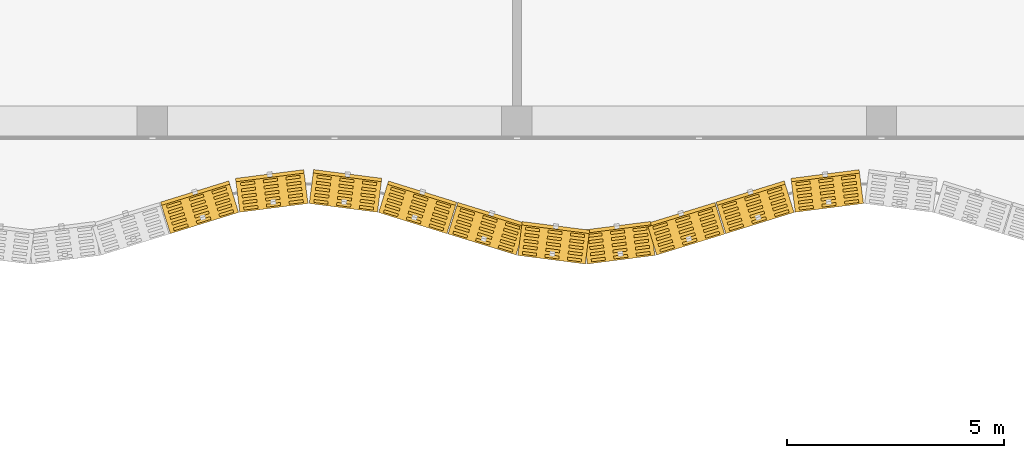
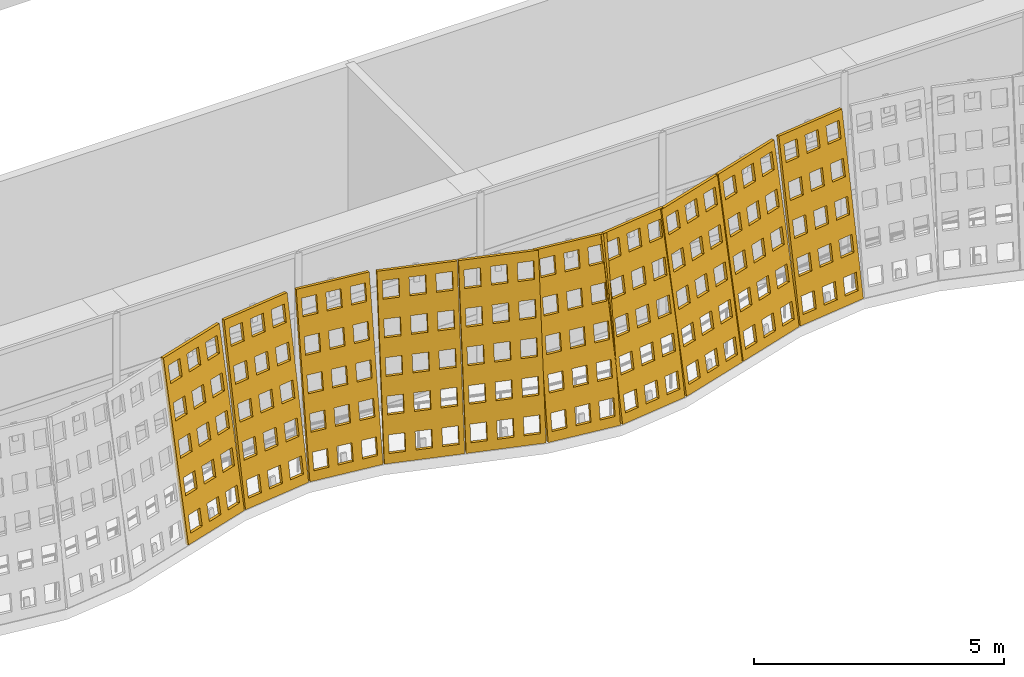
# One storey, part 151 of 162: 10 coverings.
"""IFC4 building model written with IfcOpenShell, lengths in metres."""

from ifc_helpers import new_model, si_unit, direction, frame, origin, place, context, subcontext, project, spatial, polyline, outline, extrude, material, layer, layer_set, type_object, element, save


model = new_model("IFC4")

# Units and contexts
model_context = context("Model", 3, precision=1e-05, world=origin(), true_north=direction((0.0, 1.0)))
body_context = subcontext(model_context, "Body", "Model", "MODEL_VIEW")
ifc_project = project(units=[si_unit("LENGTHUNIT", "METRE"), si_unit("AREAUNIT", "SQUARE_METRE"), si_unit("VOLUMEUNIT", "CUBIC_METRE"), si_unit("PLANEANGLEUNIT", "RADIAN"), si_unit("MASSUNIT", "GRAM", prefix="KILO")], contexts=[model_context])

# Site, building, storey
site_placement = place(None, origin())
site = spatial("IfcSite", under=ifc_project, at=site_placement, CompositionType="ELEMENT")
building_placement = place(site_placement, origin())
building = spatial("IfcBuilding", under=site, at=building_placement, Name="Rain Tree Exposition and Congress Centre", CompositionType="ELEMENT")
storey_placement = place(building_placement, frame((0.0, 0.0, 6.0)))
storey = spatial("IfcBuildingStorey", under=building, at=storey_placement, Name="L01", CompositionType="ELEMENT", Elevation=6.0)

# Coverings
ifc_material = material(Name="Perforated terracotta", Category="masonry")
ifc_layer = layer(ifc_material, 0.080078125)
ifc_layer_set = layer_set([ifc_layer], Name="Perforated terracotta")
covering_type = type_object("IfcCoveringType", Name="Terracotta screen 80", PredefinedType="CLADDING", material=ifc_layer_set)
covering_1_placement = place(storey_placement, frame((227.199462890625, 73.001708984375, 0.0126953125), z_axis=(-0.292932171154, 0.942875425902, -0.158671592708), x_axis=(-0.954973588716, -0.296690823679, 0.0)))
element("IfcCovering", 1, at=covering_1_placement, inside=storey, type_object=covering_type, Name="concourse/screen/L01/143", PredefinedType="CLADDING", context=body_context, shape_type="SweptSolid", body=[
    extrude(outline(polyline([(-1.659912109375, 0.0), (-1.659912109375, 4.29150390625), (-0.014892578125, 4.29150390625), (-0.014892578125, 0.0), (-1.659912109375, 0.0)]), holes=[polyline([(-0.119140625, 0.221435546875), (-0.119140625, 0.63671875), (-0.458984375, 0.63671875), (-0.458984375, 0.221435546875), (-0.119140625, 0.221435546875)]), polyline([(-0.119140625, 1.079833984375), (-0.119140625, 1.4951171875), (-0.458984375, 1.4951171875), (-0.458984375, 1.079833984375), (-0.119140625, 1.079833984375)]), polyline([(-0.119140625, 1.93798828125), (-0.119140625, 2.353271484375), (-0.458984375, 2.353271484375), (-0.458984375, 1.93798828125), (-0.119140625, 1.93798828125)]), polyline([(-0.119140625, 2.79638671875), (-0.119140625, 3.211669921875), (-0.458984375, 3.211669921875), (-0.458984375, 2.79638671875), (-0.119140625, 2.79638671875)]), polyline([(-0.119140625, 3.654541015625), (-0.119140625, 4.06982421875), (-0.458984375, 4.06982421875), (-0.458984375, 3.654541015625), (-0.119140625, 3.654541015625)]), polyline([(-0.66748046875, 0.221435546875), (-0.66748046875, 0.63671875), (-1.00732421875, 0.63671875), (-1.00732421875, 0.221435546875), (-0.66748046875, 0.221435546875)]), polyline([(-0.66748046875, 1.079833984375), (-0.66748046875, 1.4951171875), (-1.00732421875, 1.4951171875), (-1.00732421875, 1.079833984375), (-0.66748046875, 1.079833984375)]), polyline([(-0.66748046875, 1.93798828125), (-0.66748046875, 2.353271484375), (-1.00732421875, 2.353271484375), (-1.00732421875, 1.93798828125), (-0.66748046875, 1.93798828125)]), polyline([(-0.66748046875, 2.79638671875), (-0.66748046875, 3.211669921875), (-1.00732421875, 3.211669921875), (-1.00732421875, 2.79638671875), (-0.66748046875, 2.79638671875)]), polyline([(-0.66748046875, 3.654541015625), (-0.66748046875, 4.06982421875), (-1.00732421875, 4.06982421875), (-1.00732421875, 3.654541015625), (-0.66748046875, 3.654541015625)]), polyline([(-1.2158203125, 0.221435546875), (-1.2158203125, 0.63671875), (-1.5556640625, 0.63671875), (-1.5556640625, 0.221435546875), (-1.2158203125, 0.221435546875)]), polyline([(-1.2158203125, 1.079833984375), (-1.2158203125, 1.4951171875), (-1.5556640625, 1.4951171875), (-1.5556640625, 1.079833984375), (-1.2158203125, 1.079833984375)]), polyline([(-1.2158203125, 1.93798828125), (-1.2158203125, 2.353271484375), (-1.5556640625, 2.353271484375), (-1.5556640625, 1.93798828125), (-1.2158203125, 1.93798828125)]), polyline([(-1.2158203125, 2.79638671875), (-1.2158203125, 3.211669921875), (-1.5556640625, 3.211669921875), (-1.5556640625, 2.79638671875), (-1.2158203125, 2.79638671875)]), polyline([(-1.2158203125, 3.654541015625), (-1.2158203125, 4.06982421875), (-1.5556640625, 4.06982421875), (-1.5556640625, 3.654541015625), (-1.2158203125, 3.654541015625)])]), origin(), (0.0, 0.0, 1.0), 0.080078125),
])
covering_2_placement = place(storey_placement, frame((228.7998046875, 73.496826171875, 0.01318359375), z_axis=(-0.124968640969, 0.978413018317, -0.164592844203), x_axis=(-0.991941518713, -0.126696580272, 0.0)))
element("IfcCovering", 2, at=covering_2_placement, inside=storey, type_object=covering_type, Name="concourse/screen/L01/144", PredefinedType="CLADDING", context=body_context, shape_type="SweptSolid", body=[
    extrude(outline(polyline([(-1.59814453125, 0.0), (-1.59814453125, 4.295166015625), (-0.014892578125, 4.295166015625), (-0.014892578125, 0.0), (-1.59814453125, 0.0)]), holes=[polyline([(-0.115234375, 0.2216796875), (-0.115234375, 0.63720703125), (-0.4423828125, 0.63720703125), (-0.4423828125, 0.2216796875), (-0.115234375, 0.2216796875)]), polyline([(-0.115234375, 1.080810546875), (-0.115234375, 1.496337890625), (-0.4423828125, 1.496337890625), (-0.4423828125, 1.080810546875), (-0.115234375, 1.080810546875)]), polyline([(-0.115234375, 1.939697265625), (-0.115234375, 2.35546875), (-0.4423828125, 2.35546875), (-0.4423828125, 1.939697265625), (-0.115234375, 1.939697265625)]), polyline([(-0.115234375, 2.798583984375), (-0.115234375, 3.21435546875), (-0.4423828125, 3.21435546875), (-0.4423828125, 2.798583984375), (-0.115234375, 2.798583984375)]), polyline([(-0.115234375, 3.65771484375), (-0.115234375, 4.073486328125), (-0.4423828125, 4.073486328125), (-0.4423828125, 3.65771484375), (-0.115234375, 3.65771484375)]), polyline([(-0.64306640625, 0.2216796875), (-0.64306640625, 0.63720703125), (-0.97021484375, 0.63720703125), (-0.97021484375, 0.2216796875), (-0.64306640625, 0.2216796875)]), polyline([(-0.64306640625, 1.080810546875), (-0.64306640625, 1.496337890625), (-0.97021484375, 1.496337890625), (-0.97021484375, 1.080810546875), (-0.64306640625, 1.080810546875)]), polyline([(-0.64306640625, 1.939697265625), (-0.64306640625, 2.35546875), (-0.97021484375, 2.35546875), (-0.97021484375, 1.939697265625), (-0.64306640625, 1.939697265625)]), polyline([(-0.64306640625, 2.798583984375), (-0.64306640625, 3.21435546875), (-0.97021484375, 3.21435546875), (-0.97021484375, 2.798583984375), (-0.64306640625, 2.798583984375)]), polyline([(-0.64306640625, 3.65771484375), (-0.64306640625, 4.073486328125), (-0.97021484375, 4.073486328125), (-0.97021484375, 3.65771484375), (-0.64306640625, 3.65771484375)]), polyline([(-1.170654296875, 0.2216796875), (-1.170654296875, 0.63720703125), (-1.497802734375, 0.63720703125), (-1.497802734375, 0.2216796875), (-1.170654296875, 0.2216796875)]), polyline([(-1.170654296875, 1.080810546875), (-1.170654296875, 1.496337890625), (-1.497802734375, 1.496337890625), (-1.497802734375, 1.080810546875), (-1.170654296875, 1.080810546875)]), polyline([(-1.170654296875, 1.939697265625), (-1.170654296875, 2.35546875), (-1.497802734375, 2.35546875), (-1.497802734375, 1.939697265625), (-1.170654296875, 1.939697265625)]), polyline([(-1.170654296875, 2.798583984375), (-1.170654296875, 3.21435546875), (-1.497802734375, 3.21435546875), (-1.497802734375, 2.798583984375), (-1.170654296875, 2.798583984375)]), polyline([(-1.170654296875, 3.65771484375), (-1.170654296875, 4.073486328125), (-1.497802734375, 4.073486328125), (-1.497802734375, 3.65771484375), (-1.170654296875, 3.65771484375)])]), origin(), (0.0, 0.0, 1.0), 0.080078125),
])
covering_3_placement = place(storey_placement, frame((230.400390625, 73.701904296875, 0.01318359375), z_axis=(0.125342414455, 0.978282259159, -0.165085131233), x_axis=(-0.991891686382, 0.127086122318, 0.0)))
element("IfcCovering", 3, at=covering_3_placement, inside=storey, type_object=covering_type, Name="concourse/screen/L01/145", PredefinedType="CLADDING", context=body_context, shape_type="SweptSolid", body=[
    extrude(outline(polyline([(-1.59814453125, 0.0), (-1.59814453125, 4.295166015625), (-0.014892578125, 4.295166015625), (-0.014892578125, 0.0), (-1.59814453125, 0.0)]), holes=[polyline([(-0.115234375, 0.2216796875), (-0.115234375, 0.63720703125), (-0.4423828125, 0.63720703125), (-0.4423828125, 0.2216796875), (-0.115234375, 0.2216796875)]), polyline([(-0.115234375, 1.080810546875), (-0.115234375, 1.496337890625), (-0.4423828125, 1.496337890625), (-0.4423828125, 1.080810546875), (-0.115234375, 1.080810546875)]), polyline([(-0.115234375, 1.939697265625), (-0.115234375, 2.35546875), (-0.4423828125, 2.35546875), (-0.4423828125, 1.939697265625), (-0.115234375, 1.939697265625)]), polyline([(-0.115234375, 2.798583984375), (-0.115234375, 3.21435546875), (-0.4423828125, 3.21435546875), (-0.4423828125, 2.798583984375), (-0.115234375, 2.798583984375)]), polyline([(-0.115234375, 3.65771484375), (-0.115234375, 4.073486328125), (-0.4423828125, 4.073486328125), (-0.4423828125, 3.65771484375), (-0.115234375, 3.65771484375)]), polyline([(-0.64306640625, 0.2216796875), (-0.64306640625, 0.63720703125), (-0.97021484375, 0.63720703125), (-0.97021484375, 0.2216796875), (-0.64306640625, 0.2216796875)]), polyline([(-0.64306640625, 1.080810546875), (-0.64306640625, 1.496337890625), (-0.97021484375, 1.496337890625), (-0.97021484375, 1.080810546875), (-0.64306640625, 1.080810546875)]), polyline([(-0.64306640625, 1.939697265625), (-0.64306640625, 2.35546875), (-0.97021484375, 2.35546875), (-0.97021484375, 1.939697265625), (-0.64306640625, 1.939697265625)]), polyline([(-0.64306640625, 2.798583984375), (-0.64306640625, 3.21435546875), (-0.97021484375, 3.21435546875), (-0.97021484375, 2.798583984375), (-0.64306640625, 2.798583984375)]), polyline([(-0.64306640625, 3.65771484375), (-0.64306640625, 4.073486328125), (-0.97021484375, 4.073486328125), (-0.97021484375, 3.65771484375), (-0.64306640625, 3.65771484375)]), polyline([(-1.170654296875, 0.2216796875), (-1.170654296875, 0.63720703125), (-1.497802734375, 0.63720703125), (-1.497802734375, 0.2216796875), (-1.170654296875, 0.2216796875)]), polyline([(-1.170654296875, 1.080810546875), (-1.170654296875, 1.496337890625), (-1.497802734375, 1.496337890625), (-1.497802734375, 1.080810546875), (-1.170654296875, 1.080810546875)]), polyline([(-1.170654296875, 1.939697265625), (-1.170654296875, 2.35546875), (-1.497802734375, 2.35546875), (-1.497802734375, 1.939697265625), (-1.170654296875, 1.939697265625)]), polyline([(-1.170654296875, 2.798583984375), (-1.170654296875, 3.21435546875), (-1.497802734375, 3.21435546875), (-1.497802734375, 2.798583984375), (-1.170654296875, 2.798583984375)]), polyline([(-1.170654296875, 3.65771484375), (-1.170654296875, 4.073486328125), (-1.497802734375, 4.073486328125), (-1.497802734375, 3.65771484375), (-1.170654296875, 3.65771484375)])]), origin(), (0.0, 0.0, 1.0), 0.079833984375),
])
covering_4_placement = place(storey_placement, frame((232.00048828125, 73.49658203125, 0.0126953125), z_axis=(0.292932171154, 0.942875425902, -0.158671592708), x_axis=(-0.954973588716, 0.296690823679, 0.0)))
element("IfcCovering", 4, at=covering_4_placement, inside=storey, type_object=covering_type, Name="concourse/screen/L01/146", PredefinedType="CLADDING", context=body_context, shape_type="SweptSolid", body=[
    extrude(outline(polyline([(-1.659912109375, 0.0), (-1.659912109375, 4.29150390625), (-0.014892578125, 4.29150390625), (-0.014892578125, 0.0), (-1.659912109375, 0.0)]), holes=[polyline([(-0.119140625, 0.221435546875), (-0.119140625, 0.63671875), (-0.458984375, 0.63671875), (-0.458984375, 0.221435546875), (-0.119140625, 0.221435546875)]), polyline([(-0.119140625, 1.079833984375), (-0.119140625, 1.4951171875), (-0.458984375, 1.4951171875), (-0.458984375, 1.079833984375), (-0.119140625, 1.079833984375)]), polyline([(-0.119140625, 1.93798828125), (-0.119140625, 2.353271484375), (-0.458984375, 2.353271484375), (-0.458984375, 1.93798828125), (-0.119140625, 1.93798828125)]), polyline([(-0.119140625, 2.79638671875), (-0.119140625, 3.211669921875), (-0.458984375, 3.211669921875), (-0.458984375, 2.79638671875), (-0.119140625, 2.79638671875)]), polyline([(-0.119140625, 3.654541015625), (-0.119140625, 4.06982421875), (-0.458984375, 4.06982421875), (-0.458984375, 3.654541015625), (-0.119140625, 3.654541015625)]), polyline([(-0.66748046875, 0.221435546875), (-0.66748046875, 0.63671875), (-1.00732421875, 0.63671875), (-1.00732421875, 0.221435546875), (-0.66748046875, 0.221435546875)]), polyline([(-0.66748046875, 1.079833984375), (-0.66748046875, 1.4951171875), (-1.00732421875, 1.4951171875), (-1.00732421875, 1.079833984375), (-0.66748046875, 1.079833984375)]), polyline([(-0.66748046875, 1.93798828125), (-0.66748046875, 2.353271484375), (-1.00732421875, 2.353271484375), (-1.00732421875, 1.93798828125), (-0.66748046875, 1.93798828125)]), polyline([(-0.66748046875, 2.79638671875), (-0.66748046875, 3.211669921875), (-1.00732421875, 3.211669921875), (-1.00732421875, 2.79638671875), (-0.66748046875, 2.79638671875)]), polyline([(-0.66748046875, 3.654541015625), (-0.66748046875, 4.06982421875), (-1.00732421875, 4.06982421875), (-1.00732421875, 3.654541015625), (-0.66748046875, 3.654541015625)]), polyline([(-1.2158203125, 0.221435546875), (-1.2158203125, 0.63671875), (-1.5556640625, 0.63671875), (-1.5556640625, 0.221435546875), (-1.2158203125, 0.221435546875)]), polyline([(-1.2158203125, 1.079833984375), (-1.2158203125, 1.4951171875), (-1.5556640625, 1.4951171875), (-1.5556640625, 1.079833984375), (-1.2158203125, 1.079833984375)]), polyline([(-1.2158203125, 1.93798828125), (-1.2158203125, 2.353271484375), (-1.5556640625, 2.353271484375), (-1.5556640625, 1.93798828125), (-1.2158203125, 1.93798828125)]), polyline([(-1.2158203125, 2.79638671875), (-1.2158203125, 3.211669921875), (-1.5556640625, 3.211669921875), (-1.5556640625, 2.79638671875), (-1.2158203125, 2.79638671875)]), polyline([(-1.2158203125, 3.654541015625), (-1.2158203125, 4.06982421875), (-1.5556640625, 4.06982421875), (-1.5556640625, 3.654541015625), (-1.2158203125, 3.654541015625)])]), origin(), (0.0, 0.0, 1.0), 0.080078125),
])
covering_5_placement = place(storey_placement, frame((233.6005859375, 73.001708984375, 0.0126953125), z_axis=(0.290138898064, 0.943714942124, -0.158812870519), x_axis=(-0.955845867297, 0.293868470528, 0.0)))
element("IfcCovering", 5, at=covering_5_placement, inside=storey, type_object=covering_type, Name="concourse/screen/L01/147", PredefinedType="CLADDING", context=body_context, shape_type="SweptSolid", body=[
    extrude(outline(polyline([(-1.65283203125, 0.0), (-1.65283203125, 4.29150390625), (-0.014892578125, 4.29150390625), (-0.014892578125, 0.0), (-1.65283203125, 0.0)]), holes=[polyline([(-0.11865234375, 0.221435546875), (-0.11865234375, 0.63671875), (-0.457275390625, 0.63671875), (-0.457275390625, 0.221435546875), (-0.11865234375, 0.221435546875)]), polyline([(-0.11865234375, 1.079833984375), (-0.11865234375, 1.4951171875), (-0.457275390625, 1.4951171875), (-0.457275390625, 1.079833984375), (-0.11865234375, 1.079833984375)]), polyline([(-0.11865234375, 1.93798828125), (-0.11865234375, 2.353271484375), (-0.457275390625, 2.353271484375), (-0.457275390625, 1.93798828125), (-0.11865234375, 1.93798828125)]), polyline([(-0.11865234375, 2.79638671875), (-0.11865234375, 3.211669921875), (-0.457275390625, 3.211669921875), (-0.457275390625, 2.79638671875), (-0.11865234375, 2.79638671875)]), polyline([(-0.11865234375, 3.654541015625), (-0.11865234375, 4.06982421875), (-0.457275390625, 4.06982421875), (-0.457275390625, 3.654541015625), (-0.11865234375, 3.654541015625)]), polyline([(-0.664794921875, 0.221435546875), (-0.664794921875, 0.63671875), (-1.003173828125, 0.63671875), (-1.003173828125, 0.221435546875), (-0.664794921875, 0.221435546875)]), polyline([(-0.664794921875, 1.079833984375), (-0.664794921875, 1.4951171875), (-1.003173828125, 1.4951171875), (-1.003173828125, 1.079833984375), (-0.664794921875, 1.079833984375)]), polyline([(-0.664794921875, 1.93798828125), (-0.664794921875, 2.353271484375), (-1.003173828125, 2.353271484375), (-1.003173828125, 1.93798828125), (-0.664794921875, 1.93798828125)]), polyline([(-0.664794921875, 2.79638671875), (-0.664794921875, 3.211669921875), (-1.003173828125, 3.211669921875), (-1.003173828125, 2.79638671875), (-0.664794921875, 2.79638671875)]), polyline([(-0.664794921875, 3.654541015625), (-0.664794921875, 4.06982421875), (-1.003173828125, 4.06982421875), (-1.003173828125, 3.654541015625), (-0.664794921875, 3.654541015625)]), polyline([(-1.210693359375, 0.221435546875), (-1.210693359375, 0.63671875), (-1.54931640625, 0.63671875), (-1.54931640625, 0.221435546875), (-1.210693359375, 0.221435546875)]), polyline([(-1.210693359375, 1.079833984375), (-1.210693359375, 1.4951171875), (-1.54931640625, 1.4951171875), (-1.54931640625, 1.079833984375), (-1.210693359375, 1.079833984375)]), polyline([(-1.210693359375, 1.93798828125), (-1.210693359375, 2.353271484375), (-1.54931640625, 2.353271484375), (-1.54931640625, 1.93798828125), (-1.210693359375, 1.93798828125)]), polyline([(-1.210693359375, 2.79638671875), (-1.210693359375, 3.211669921875), (-1.54931640625, 3.211669921875), (-1.54931640625, 2.79638671875), (-1.210693359375, 2.79638671875)]), polyline([(-1.210693359375, 3.654541015625), (-1.210693359375, 4.06982421875), (-1.54931640625, 4.06982421875), (-1.54931640625, 3.654541015625), (-1.210693359375, 3.654541015625)])]), origin(), (0.0, 0.0, 1.0), 0.079833984375),
])
covering_6_placement = place(storey_placement, frame((235.2001953125, 72.5068359375, 0.01318359375), z_axis=(0.124968640969, 0.978413018317, -0.164592844203), x_axis=(-0.991941518713, 0.126696580272, 0.0)))
element("IfcCovering", 6, at=covering_6_placement, inside=storey, type_object=covering_type, Name="concourse/screen/L01/148", PredefinedType="CLADDING", context=body_context, shape_type="SweptSolid", body=[
    extrude(outline(polyline([(-1.587890625, 0.0), (-1.587890625, 4.295166015625), (-0.02197265625, 4.295166015625), (-0.02197265625, 0.0), (-1.587890625, 0.0)]), holes=[polyline([(-0.12109375, 0.2216796875), (-0.12109375, 0.63720703125), (-0.444580078125, 0.63720703125), (-0.444580078125, 0.2216796875), (-0.12109375, 0.2216796875)]), polyline([(-0.12109375, 1.080810546875), (-0.12109375, 1.496337890625), (-0.444580078125, 1.496337890625), (-0.444580078125, 1.080810546875), (-0.12109375, 1.080810546875)]), polyline([(-0.12109375, 1.939697265625), (-0.12109375, 2.35546875), (-0.444580078125, 2.35546875), (-0.444580078125, 1.939697265625), (-0.12109375, 1.939697265625)]), polyline([(-0.12109375, 2.798583984375), (-0.12109375, 3.21435546875), (-0.444580078125, 3.21435546875), (-0.444580078125, 2.798583984375), (-0.12109375, 2.798583984375)]), polyline([(-0.12109375, 3.65771484375), (-0.12109375, 4.073486328125), (-0.444580078125, 4.073486328125), (-0.444580078125, 3.65771484375), (-0.12109375, 3.65771484375)]), polyline([(-0.64306640625, 0.2216796875), (-0.64306640625, 0.63720703125), (-0.966796875, 0.63720703125), (-0.966796875, 0.2216796875), (-0.64306640625, 0.2216796875)]), polyline([(-0.64306640625, 1.080810546875), (-0.64306640625, 1.496337890625), (-0.966796875, 1.496337890625), (-0.966796875, 1.080810546875), (-0.64306640625, 1.080810546875)]), polyline([(-0.64306640625, 1.939697265625), (-0.64306640625, 2.35546875), (-0.966796875, 2.35546875), (-0.966796875, 1.939697265625), (-0.64306640625, 1.939697265625)]), polyline([(-0.64306640625, 2.798583984375), (-0.64306640625, 3.21435546875), (-0.966796875, 3.21435546875), (-0.966796875, 2.798583984375), (-0.64306640625, 2.798583984375)]), polyline([(-0.64306640625, 3.65771484375), (-0.64306640625, 4.073486328125), (-0.966796875, 4.073486328125), (-0.966796875, 3.65771484375), (-0.64306640625, 3.65771484375)]), polyline([(-1.1650390625, 0.2216796875), (-1.1650390625, 0.63720703125), (-1.48876953125, 0.63720703125), (-1.48876953125, 0.2216796875), (-1.1650390625, 0.2216796875)]), polyline([(-1.1650390625, 1.080810546875), (-1.1650390625, 1.496337890625), (-1.48876953125, 1.496337890625), (-1.48876953125, 1.080810546875), (-1.1650390625, 1.080810546875)]), polyline([(-1.1650390625, 1.939697265625), (-1.1650390625, 2.35546875), (-1.48876953125, 2.35546875), (-1.48876953125, 1.939697265625), (-1.1650390625, 1.939697265625)]), polyline([(-1.1650390625, 2.798583984375), (-1.1650390625, 3.21435546875), (-1.48876953125, 3.21435546875), (-1.48876953125, 2.798583984375), (-1.1650390625, 2.798583984375)]), polyline([(-1.1650390625, 3.65771484375), (-1.1650390625, 4.073486328125), (-1.48876953125, 4.073486328125), (-1.48876953125, 3.65771484375), (-1.1650390625, 3.65771484375)])]), origin(), (0.0, 0.0, 1.0), 0.080078125),
])
covering_7_placement = place(storey_placement, frame((236.7998046875, 72.302001953125, 0.01318359375), z_axis=(-0.125342414455, 0.978282259159, -0.165085131233), x_axis=(-0.991891686382, -0.127086122318, 0.0)))
element("IfcCovering", 7, at=covering_7_placement, inside=storey, type_object=covering_type, Name="concourse/screen/L01/149", PredefinedType="CLADDING", context=body_context, shape_type="SweptSolid", body=[
    extrude(outline(polyline([(-1.59130859375, 0.0), (-1.59130859375, 4.295166015625), (-0.025146484375, 4.295166015625), (-0.025146484375, 0.0), (-1.59130859375, 0.0)]), holes=[polyline([(-0.12451171875, 0.2216796875), (-0.12451171875, 0.63720703125), (-0.447998046875, 0.63720703125), (-0.447998046875, 0.2216796875), (-0.12451171875, 0.2216796875)]), polyline([(-0.12451171875, 1.080810546875), (-0.12451171875, 1.496337890625), (-0.447998046875, 1.496337890625), (-0.447998046875, 1.080810546875), (-0.12451171875, 1.080810546875)]), polyline([(-0.12451171875, 1.939697265625), (-0.12451171875, 2.35546875), (-0.447998046875, 2.35546875), (-0.447998046875, 1.939697265625), (-0.12451171875, 1.939697265625)]), polyline([(-0.12451171875, 2.798583984375), (-0.12451171875, 3.21435546875), (-0.447998046875, 3.21435546875), (-0.447998046875, 2.798583984375), (-0.12451171875, 2.798583984375)]), polyline([(-0.12451171875, 3.65771484375), (-0.12451171875, 4.073486328125), (-0.447998046875, 4.073486328125), (-0.447998046875, 3.65771484375), (-0.12451171875, 3.65771484375)]), polyline([(-0.646484375, 0.2216796875), (-0.646484375, 0.63720703125), (-0.969970703125, 0.63720703125), (-0.969970703125, 0.2216796875), (-0.646484375, 0.2216796875)]), polyline([(-0.646484375, 1.080810546875), (-0.646484375, 1.496337890625), (-0.969970703125, 1.496337890625), (-0.969970703125, 1.080810546875), (-0.646484375, 1.080810546875)]), polyline([(-0.646484375, 1.939697265625), (-0.646484375, 2.35546875), (-0.969970703125, 2.35546875), (-0.969970703125, 1.939697265625), (-0.646484375, 1.939697265625)]), polyline([(-0.646484375, 2.798583984375), (-0.646484375, 3.21435546875), (-0.969970703125, 3.21435546875), (-0.969970703125, 2.798583984375), (-0.646484375, 2.798583984375)]), polyline([(-0.646484375, 3.65771484375), (-0.646484375, 4.073486328125), (-0.969970703125, 4.073486328125), (-0.969970703125, 3.65771484375), (-0.646484375, 3.65771484375)]), polyline([(-1.16845703125, 0.2216796875), (-1.16845703125, 0.63720703125), (-1.491943359375, 0.63720703125), (-1.491943359375, 0.2216796875), (-1.16845703125, 0.2216796875)]), polyline([(-1.16845703125, 1.080810546875), (-1.16845703125, 1.496337890625), (-1.491943359375, 1.496337890625), (-1.491943359375, 1.080810546875), (-1.16845703125, 1.080810546875)]), polyline([(-1.16845703125, 1.939697265625), (-1.16845703125, 2.35546875), (-1.491943359375, 2.35546875), (-1.491943359375, 1.939697265625), (-1.16845703125, 1.939697265625)]), polyline([(-1.16845703125, 2.798583984375), (-1.16845703125, 3.21435546875), (-1.491943359375, 3.21435546875), (-1.491943359375, 2.798583984375), (-1.16845703125, 2.798583984375)]), polyline([(-1.16845703125, 3.65771484375), (-1.16845703125, 4.073486328125), (-1.491943359375, 4.073486328125), (-1.491943359375, 3.65771484375), (-1.16845703125, 3.65771484375)])]), origin(), (0.0, 0.0, 1.0), 0.079833984375),
])
covering_8_placement = place(storey_placement, frame((238.3994140625, 72.506591796875, 0.0126953125), z_axis=(-0.290138898064, 0.943714942124, -0.158812870519), x_axis=(-0.955845867297, -0.293868470528, 0.0)))
element("IfcCovering", 8, at=covering_8_placement, inside=storey, type_object=covering_type, Name="concourse/screen/L01/150", PredefinedType="CLADDING", context=body_context, shape_type="SweptSolid", body=[
    extrude(outline(polyline([(-1.659912109375, 0.0), (-1.659912109375, 4.29150390625), (-0.02197265625, 4.29150390625), (-0.02197265625, 0.0), (-1.659912109375, 0.0)]), holes=[polyline([(-0.125732421875, 0.221435546875), (-0.125732421875, 0.63671875), (-0.464111328125, 0.63671875), (-0.464111328125, 0.221435546875), (-0.125732421875, 0.221435546875)]), polyline([(-0.125732421875, 1.079833984375), (-0.125732421875, 1.4951171875), (-0.464111328125, 1.4951171875), (-0.464111328125, 1.079833984375), (-0.125732421875, 1.079833984375)]), polyline([(-0.125732421875, 1.93798828125), (-0.125732421875, 2.353271484375), (-0.464111328125, 2.353271484375), (-0.464111328125, 1.93798828125), (-0.125732421875, 1.93798828125)]), polyline([(-0.125732421875, 2.79638671875), (-0.125732421875, 3.211669921875), (-0.464111328125, 3.211669921875), (-0.464111328125, 2.79638671875), (-0.125732421875, 2.79638671875)]), polyline([(-0.125732421875, 3.654541015625), (-0.125732421875, 4.06982421875), (-0.464111328125, 4.06982421875), (-0.464111328125, 3.654541015625), (-0.125732421875, 3.654541015625)]), polyline([(-0.671630859375, 0.221435546875), (-0.671630859375, 0.63671875), (-1.010009765625, 0.63671875), (-1.010009765625, 0.221435546875), (-0.671630859375, 0.221435546875)]), polyline([(-0.671630859375, 1.079833984375), (-0.671630859375, 1.4951171875), (-1.010009765625, 1.4951171875), (-1.010009765625, 1.079833984375), (-0.671630859375, 1.079833984375)]), polyline([(-0.671630859375, 1.93798828125), (-0.671630859375, 2.353271484375), (-1.010009765625, 2.353271484375), (-1.010009765625, 1.93798828125), (-0.671630859375, 1.93798828125)]), polyline([(-0.671630859375, 2.79638671875), (-0.671630859375, 3.211669921875), (-1.010009765625, 3.211669921875), (-1.010009765625, 2.79638671875), (-0.671630859375, 2.79638671875)]), polyline([(-0.671630859375, 3.654541015625), (-0.671630859375, 4.06982421875), (-1.010009765625, 4.06982421875), (-1.010009765625, 3.654541015625), (-0.671630859375, 3.654541015625)]), polyline([(-1.217529296875, 0.221435546875), (-1.217529296875, 0.63671875), (-1.55615234375, 0.63671875), (-1.55615234375, 0.221435546875), (-1.217529296875, 0.221435546875)]), polyline([(-1.217529296875, 1.079833984375), (-1.217529296875, 1.4951171875), (-1.55615234375, 1.4951171875), (-1.55615234375, 1.079833984375), (-1.217529296875, 1.079833984375)]), polyline([(-1.217529296875, 1.93798828125), (-1.217529296875, 2.353271484375), (-1.55615234375, 2.353271484375), (-1.55615234375, 1.93798828125), (-1.217529296875, 1.93798828125)]), polyline([(-1.217529296875, 2.79638671875), (-1.217529296875, 3.211669921875), (-1.55615234375, 3.211669921875), (-1.55615234375, 2.79638671875), (-1.217529296875, 2.79638671875)]), polyline([(-1.217529296875, 3.654541015625), (-1.217529296875, 4.06982421875), (-1.55615234375, 4.06982421875), (-1.55615234375, 3.654541015625), (-1.217529296875, 3.654541015625)])]), origin(), (0.0, 0.0, 1.0), 0.079833984375),
])
covering_9_placement = place(storey_placement, frame((239.99951171875, 73.001708984375, 0.0126953125), z_axis=(-0.292932171154, 0.942875425902, -0.158671592708), x_axis=(-0.954973588716, -0.296690823679, 0.0)))
element("IfcCovering", 9, at=covering_9_placement, inside=storey, type_object=covering_type, Name="concourse/screen/L01/151", PredefinedType="CLADDING", context=body_context, shape_type="SweptSolid", body=[
    extrude(outline(polyline([(-1.659912109375, 0.0), (-1.659912109375, 4.29150390625), (-0.014892578125, 4.29150390625), (-0.014892578125, 0.0), (-1.659912109375, 0.0)]), holes=[polyline([(-0.119140625, 0.221435546875), (-0.119140625, 0.63671875), (-0.458984375, 0.63671875), (-0.458984375, 0.221435546875), (-0.119140625, 0.221435546875)]), polyline([(-0.119140625, 1.079833984375), (-0.119140625, 1.4951171875), (-0.458984375, 1.4951171875), (-0.458984375, 1.079833984375), (-0.119140625, 1.079833984375)]), polyline([(-0.119140625, 1.93798828125), (-0.119140625, 2.353271484375), (-0.458984375, 2.353271484375), (-0.458984375, 1.93798828125), (-0.119140625, 1.93798828125)]), polyline([(-0.119140625, 2.79638671875), (-0.119140625, 3.211669921875), (-0.458984375, 3.211669921875), (-0.458984375, 2.79638671875), (-0.119140625, 2.79638671875)]), polyline([(-0.119140625, 3.654541015625), (-0.119140625, 4.06982421875), (-0.458984375, 4.06982421875), (-0.458984375, 3.654541015625), (-0.119140625, 3.654541015625)]), polyline([(-0.66748046875, 0.221435546875), (-0.66748046875, 0.63671875), (-1.00732421875, 0.63671875), (-1.00732421875, 0.221435546875), (-0.66748046875, 0.221435546875)]), polyline([(-0.66748046875, 1.079833984375), (-0.66748046875, 1.4951171875), (-1.00732421875, 1.4951171875), (-1.00732421875, 1.079833984375), (-0.66748046875, 1.079833984375)]), polyline([(-0.66748046875, 1.93798828125), (-0.66748046875, 2.353271484375), (-1.00732421875, 2.353271484375), (-1.00732421875, 1.93798828125), (-0.66748046875, 1.93798828125)]), polyline([(-0.66748046875, 2.79638671875), (-0.66748046875, 3.211669921875), (-1.00732421875, 3.211669921875), (-1.00732421875, 2.79638671875), (-0.66748046875, 2.79638671875)]), polyline([(-0.66748046875, 3.654541015625), (-0.66748046875, 4.06982421875), (-1.00732421875, 4.06982421875), (-1.00732421875, 3.654541015625), (-0.66748046875, 3.654541015625)]), polyline([(-1.2158203125, 0.221435546875), (-1.2158203125, 0.63671875), (-1.5556640625, 0.63671875), (-1.5556640625, 0.221435546875), (-1.2158203125, 0.221435546875)]), polyline([(-1.2158203125, 1.079833984375), (-1.2158203125, 1.4951171875), (-1.5556640625, 1.4951171875), (-1.5556640625, 1.079833984375), (-1.2158203125, 1.079833984375)]), polyline([(-1.2158203125, 1.93798828125), (-1.2158203125, 2.353271484375), (-1.5556640625, 2.353271484375), (-1.5556640625, 1.93798828125), (-1.2158203125, 1.93798828125)]), polyline([(-1.2158203125, 2.79638671875), (-1.2158203125, 3.211669921875), (-1.5556640625, 3.211669921875), (-1.5556640625, 2.79638671875), (-1.2158203125, 2.79638671875)]), polyline([(-1.2158203125, 3.654541015625), (-1.2158203125, 4.06982421875), (-1.5556640625, 4.06982421875), (-1.5556640625, 3.654541015625), (-1.2158203125, 3.654541015625)])]), origin(), (0.0, 0.0, 1.0), 0.080078125),
])
covering_10_placement = place(storey_placement, frame((241.599609375, 73.496826171875, 0.01318359375), z_axis=(-0.124968640969, 0.978413018317, -0.164592844203), x_axis=(-0.991941518713, -0.126696580272, 0.0)))
element("IfcCovering", 10, at=covering_10_placement, inside=storey, type_object=covering_type, Name="concourse/screen/L01/152", PredefinedType="CLADDING", context=body_context, shape_type="SweptSolid", body=[
    extrude(outline(polyline([(-1.59814453125, 0.0), (-1.59814453125, 4.295166015625), (-0.014892578125, 4.295166015625), (-0.014892578125, 0.0), (-1.59814453125, 0.0)]), holes=[polyline([(-0.115234375, 0.2216796875), (-0.115234375, 0.63720703125), (-0.4423828125, 0.63720703125), (-0.4423828125, 0.2216796875), (-0.115234375, 0.2216796875)]), polyline([(-0.115234375, 1.080810546875), (-0.115234375, 1.496337890625), (-0.4423828125, 1.496337890625), (-0.4423828125, 1.080810546875), (-0.115234375, 1.080810546875)]), polyline([(-0.115234375, 1.939697265625), (-0.115234375, 2.35546875), (-0.4423828125, 2.35546875), (-0.4423828125, 1.939697265625), (-0.115234375, 1.939697265625)]), polyline([(-0.115234375, 2.798583984375), (-0.115234375, 3.21435546875), (-0.4423828125, 3.21435546875), (-0.4423828125, 2.798583984375), (-0.115234375, 2.798583984375)]), polyline([(-0.115234375, 3.65771484375), (-0.115234375, 4.073486328125), (-0.4423828125, 4.073486328125), (-0.4423828125, 3.65771484375), (-0.115234375, 3.65771484375)]), polyline([(-0.64306640625, 0.2216796875), (-0.64306640625, 0.63720703125), (-0.97021484375, 0.63720703125), (-0.97021484375, 0.2216796875), (-0.64306640625, 0.2216796875)]), polyline([(-0.64306640625, 1.080810546875), (-0.64306640625, 1.496337890625), (-0.97021484375, 1.496337890625), (-0.97021484375, 1.080810546875), (-0.64306640625, 1.080810546875)]), polyline([(-0.64306640625, 1.939697265625), (-0.64306640625, 2.35546875), (-0.97021484375, 2.35546875), (-0.97021484375, 1.939697265625), (-0.64306640625, 1.939697265625)]), polyline([(-0.64306640625, 2.798583984375), (-0.64306640625, 3.21435546875), (-0.97021484375, 3.21435546875), (-0.97021484375, 2.798583984375), (-0.64306640625, 2.798583984375)]), polyline([(-0.64306640625, 3.65771484375), (-0.64306640625, 4.073486328125), (-0.97021484375, 4.073486328125), (-0.97021484375, 3.65771484375), (-0.64306640625, 3.65771484375)]), polyline([(-1.170654296875, 0.2216796875), (-1.170654296875, 0.63720703125), (-1.497802734375, 0.63720703125), (-1.497802734375, 0.2216796875), (-1.170654296875, 0.2216796875)]), polyline([(-1.170654296875, 1.080810546875), (-1.170654296875, 1.496337890625), (-1.497802734375, 1.496337890625), (-1.497802734375, 1.080810546875), (-1.170654296875, 1.080810546875)]), polyline([(-1.170654296875, 1.939697265625), (-1.170654296875, 2.35546875), (-1.497802734375, 2.35546875), (-1.497802734375, 1.939697265625), (-1.170654296875, 1.939697265625)]), polyline([(-1.170654296875, 2.798583984375), (-1.170654296875, 3.21435546875), (-1.497802734375, 3.21435546875), (-1.497802734375, 2.798583984375), (-1.170654296875, 2.798583984375)]), polyline([(-1.170654296875, 3.65771484375), (-1.170654296875, 4.073486328125), (-1.497802734375, 4.073486328125), (-1.497802734375, 3.65771484375), (-1.170654296875, 3.65771484375)])]), origin(), (0.0, 0.0, 1.0), 0.080078125),
])

save(model, "model.ifc")
